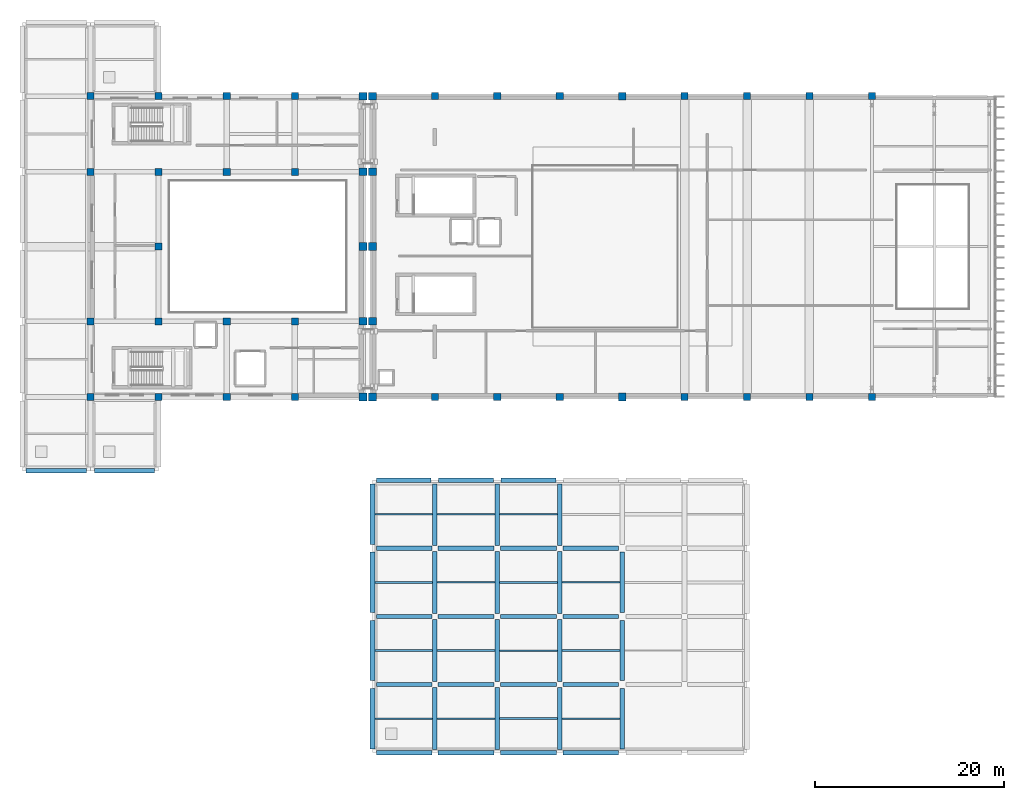
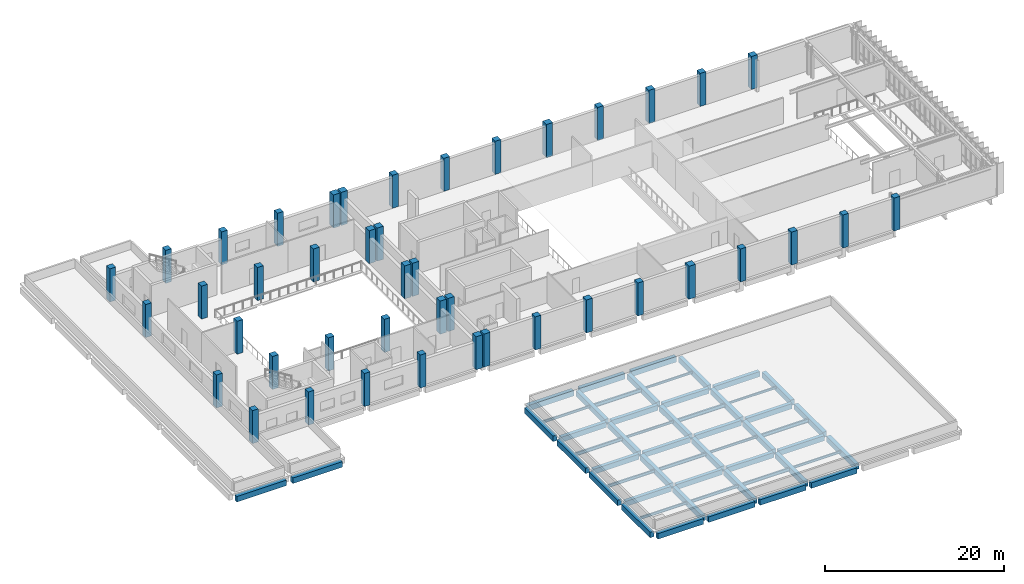
# One storey, part 1 of 23: 55 beams, 43 columns.
"""IFC4 building model written with IfcOpenShell, lengths in metres."""

from ifc_helpers import new_model, si_unit, direction, frame, origin, origin_2d, place, context, subcontext, project, spatial, rectangle, i_section, extrude, material, material_profile, profile_set, type_object, element, save


model = new_model("IFC4")

# Units and contexts
model_context = context("Model", 3, precision=1e-05, world=origin(), true_north=direction((0.0, 1.0)))
body_context = subcontext(model_context, "Body", "Model", "MODEL_VIEW")
ifc_project = project(units=[si_unit("LENGTHUNIT", "METRE"), si_unit("AREAUNIT", "SQUARE_METRE"), si_unit("VOLUMEUNIT", "CUBIC_METRE"), si_unit("PLANEANGLEUNIT", "RADIAN"), si_unit("MASSUNIT", "GRAM", prefix="KILO")], contexts=[model_context])

# Site, building, storey
site_placement = place(None, origin())
site = spatial("IfcSite", under=ifc_project, at=site_placement, CompositionType="ELEMENT")
building_placement = place(site_placement, origin())
building = spatial("IfcBuilding", under=site, at=building_placement, Name="Kelarvand Opera House", CompositionType="ELEMENT")
storey_placement = place(building_placement, frame((0.0, 0.0, 19.5)))
storey = spatial("IfcBuildingStorey", under=building, at=storey_placement, Name="L04", CompositionType="ELEMENT", Elevation=19.5)

# Columns
ifc_material_1 = material(Name="Concrete C40/50", Category="concrete")
ifc_material_profile_1 = material_profile(ifc_material_1, rectangle(XDim=0.75, YDim=0.75, at=origin_2d()), Name="RC 750x750", Category="concrete")
ifc_profile_set_1 = profile_set([ifc_material_profile_1], Name="Concrete C40/50")
column_type_1 = type_object("IfcColumnType", Name="Structural Column RC 750x750 (Int) COL-750", PredefinedType="COLUMN", material=ifc_profile_set_1)
for number, where, z_axis, x_axis, name in (
    (1, (95.60009765625, 46.60009765625, 0.0), (0.0, 0.0, 1.0), (1.0, 0.0, 0.0), "V1 Column COL-750 at L04"),
    (2, (95.60009765625, 78.39990234375, 0.0), (0.0, 0.0, 1.0), (1.0, 0.0, 0.0), "V1 Column COL-750 at L04"),
    (3, (102.199951171875, 46.60009765625, 0.0), (0.0, 0.0, 1.0), (1.0, 0.0, 0.0), "V1 Column COL-750 at L04"),
    (4, (102.199951171875, 78.39990234375, 0.0), (0.0, 0.0, 1.0), (1.0, 0.0, 0.0), "V1 Column COL-750 at L04"),
    (5, (108.800048828125, 46.60009765625, 0.0), (0.0, 0.0, 1.0), (1.0, 0.0, 0.0), "V1 Column COL-750 at L04"),
    (6, (108.800048828125, 78.39990234375, 0.0), (0.0, 0.0, 1.0), (1.0, 0.0, 0.0), "V1 Column COL-750 at L04"),
    (7, (122.0, 46.60009765625, 0.0), (0.0, 0.0, 1.0), (1.0, 0.0, 0.0), "V1 Column COL-750 at L04"),
    (8, (122.0, 78.39990234375, 0.0), (0.0, 0.0, 1.0), (1.0, 0.0, 0.0), "V1 Column COL-750 at L04"),
    (9, (128.60009765625, 46.60009765625, 0.0), (0.0, 0.0, 1.0), (1.0, 0.0, 0.0), "V1 Column COL-750 at L04"),
    (10, (128.60009765625, 78.39990234375, 0.0), (0.0, 0.0, 1.0), (1.0, 0.0, 0.0), "V1 Column COL-750 at L04"),
    (11, (135.199951171875, 46.60009765625, 0.0), (0.0, 0.0, 1.0), (1.0, 0.0, 0.0), "V1 Column COL-750 at L04"),
    (12, (135.199951171875, 78.39990234375, 0.0), (0.0, 0.0, 1.0), (1.0, 0.0, 0.0), "V1 Column COL-750 at L04"),
    (13, (141.800048828125, 46.60009765625, 0.0), (0.0, 0.0, 1.0), (1.0, 0.0, 0.0), "V1 Column COL-750 at L04"),
    (14, (141.800048828125, 78.39990234375, 0.0), (0.0, 0.0, 1.0), (1.0, 0.0, 0.0), "V1 Column COL-750 at L04"),
    (15, (59.199951171875, 46.60009765625, 0.0), (0.0, 0.0, 1.0), (1.0, 0.0, 0.0), "V2 Column COL-750 at L04"),
    (16, (59.199951171875, 54.60009765625, 0.0), (0.0, 0.0, 1.0), (1.0, 0.0, 0.0), "V2 Column COL-750 at L04"),
    (17, (59.199951171875, 70.39990234375, 0.0), (0.0, 0.0, 1.0), (1.0, 0.0, 0.0), "V2 Column COL-750 at L04"),
    (18, (59.199951171875, 78.39990234375, 0.0), (0.0, 0.0, 1.0), (1.0, 0.0, 0.0), "V2 Column COL-750 at L04"),
    (19, (66.39990234375, 46.60009765625, 0.0), (0.0, 0.0, 1.0), (1.0, 0.0, 0.0), "V2 Column COL-750 at L04"),
    (20, (66.39990234375, 54.60009765625, 0.0), (0.0, 0.0, 1.0), (1.0, 0.0, 0.0), "V2 Column COL-750 at L04"),
    (21, (66.39990234375, 62.5, 0.0), (0.0, 0.0, 1.0), (1.0, 0.0, 0.0), "V2 Column COL-750 at L04"),
    (22, (66.39990234375, 70.39990234375, 0.0), (0.0, 0.0, 1.0), (1.0, 0.0, 0.0), "V2 Column COL-750 at L04"),
    (23, (66.39990234375, 78.39990234375, 0.0), (0.0, 0.0, 1.0), (1.0, 0.0, 0.0), "V2 Column COL-750 at L04"),
    (24, (73.60009765625, 46.60009765625, 0.0), (0.0, 0.0, 1.0), (1.0, 0.0, 0.0), "V2 Column COL-750 at L04"),
    (25, (73.60009765625, 54.60009765625, 0.0), (0.0, 0.0, 1.0), (1.0, 0.0, 0.0), "V2 Column COL-750 at L04"),
    (26, (73.60009765625, 70.39990234375, 0.0), (0.0, 0.0, 1.0), (1.0, 0.0, 0.0), "V2 Column COL-750 at L04"),
    (27, (73.60009765625, 78.39990234375, 0.0), (0.0, 0.0, 1.0), (1.0, 0.0, 0.0), "V2 Column COL-750 at L04"),
    (28, (80.800048828125, 46.60009765625, 0.0), (0.0, 0.0, 1.0), (1.0, 0.0, 0.0), "V2 Column COL-750 at L04"),
    (29, (80.800048828125, 54.60009765625, 0.0), (0.0, 0.0, 1.0), (1.0, 0.0, 0.0), "V2 Column COL-750 at L04"),
    (30, (80.800048828125, 70.39990234375, 0.0), (0.0, 0.0, 1.0), (1.0, 0.0, 0.0), "V2 Column COL-750 at L04"),
    (31, (80.800048828125, 78.39990234375, 0.0), (0.0, 0.0, 1.0), (1.0, 0.0, 0.0), "V2 Column COL-750 at L04"),
):
    element("IfcColumn", number, at=place(storey_placement, frame(where, z_axis=z_axis, x_axis=x_axis)), inside=storey, type_object=column_type_1, Name=name, PredefinedType="COLUMN", context=body_context, shape_type="SweptSolid", body=[
        extrude(rectangle(XDim=0.75, YDim=0.75, at=origin_2d()), origin(), (0.0, 0.0, 1.0), 4.5),
    ])
ifc_material_profile_2 = material_profile(ifc_material_1, rectangle(XDim=0.820068359375, YDim=0.820068359375, at=origin_2d()), Name="RC 820x820", Category="concrete")
ifc_profile_set_2 = profile_set([ifc_material_profile_2], Name="Concrete C40/50")
column_type_2 = type_object("IfcColumnType", Name="Structural Column RC 820x820 (Int) COL-820", PredefinedType="COLUMN", material=ifc_profile_set_2)
for number, where, z_axis, x_axis, name in (
    (32, (89.0, 46.60009765625, 0.0), (0.0, 0.0, 1.0), (1.0, 0.0, 0.0), "V1 Column COL-820 at L04"),
    (33, (89.0, 54.60009765625, 0.0), (0.0, 0.0, 1.0), (1.0, 0.0, 0.0), "V1 Column COL-820 at L04"),
    (34, (89.0, 62.5, 0.0), (0.0, 0.0, 1.0), (1.0, 0.0, 0.0), "V1 Column COL-820 at L04"),
    (35, (89.0, 70.39990234375, 0.0), (0.0, 0.0, 1.0), (1.0, 0.0, 0.0), "V1 Column COL-820 at L04"),
    (36, (89.0, 78.39990234375, 0.0), (0.0, 0.0, 1.0), (1.0, 0.0, 0.0), "V1 Column COL-820 at L04"),
    (37, (115.39990234375, 46.60009765625, 0.0), (0.0, 0.0, 1.0), (1.0, 0.0, 0.0), "V1 Column COL-820 at L04"),
    (38, (115.39990234375, 78.39990234375, 0.0), (0.0, 0.0, 1.0), (1.0, 0.0, 0.0), "V1 Column COL-820 at L04"),
    (39, (88.0, 46.60009765625, 0.0), (0.0, 0.0, 1.0), (1.0, 0.0, 0.0), "V2 Column COL-820 at L04"),
    (40, (88.0, 54.60009765625, 0.0), (0.0, 0.0, 1.0), (1.0, 0.0, 0.0), "V2 Column COL-820 at L04"),
    (41, (88.0, 62.5, 0.0), (0.0, 0.0, 1.0), (1.0, 0.0, 0.0), "V2 Column COL-820 at L04"),
    (42, (88.0, 70.39990234375, 0.0), (0.0, 0.0, 1.0), (1.0, 0.0, 0.0), "V2 Column COL-820 at L04"),
    (43, (88.0, 78.39990234375, 0.0), (0.0, 0.0, 1.0), (1.0, 0.0, 0.0), "V2 Column COL-820 at L04"),
):
    element("IfcColumn", number, at=place(storey_placement, frame(where, z_axis=z_axis, x_axis=x_axis)), inside=storey, type_object=column_type_2, Name=name, PredefinedType="COLUMN", context=body_context, shape_type="SweptSolid", body=[
        extrude(rectangle(XDim=0.820068359375, YDim=0.820068359375, at=origin_2d()), origin(), (0.0, 0.0, 1.0), 4.5),
    ])

# Beams
ifc_material_profile_3 = material_profile(ifc_material_1, rectangle(XDim=0.449951171875, YDim=0.699951171875, at=origin_2d()), Name="RC 450x700", Category="concrete")
ifc_profile_set_3 = profile_set([ifc_material_profile_3], Name="Concrete C40/50")
beam_type_1 = type_object("IfcBeamType", Name="Structural Beam RC 450x700 BM-RC450x700", PredefinedType="BEAM", material=ifc_profile_set_3)
beam_1_placement = place(storey_placement, frame((89.409912109375, 16.199951171875, -0.570068359375), z_axis=(1.0, 0.0, 0.0), x_axis=(0.0, 1.0, 0.0)))
element("IfcBeam", 44, at=beam_1_placement, inside=storey, type_object=beam_type_1, Name="V6 L04 Beam BM-RC450x700", PredefinedType="BEAM", context=body_context, shape_type="SweptSolid", body=[
    extrude(rectangle(XDim=0.449951171875, YDim=0.699951171875, at=origin_2d()), origin(), (0.0, 0.0, 1.0), 5.864990234375),
])
beam_2_placement = place(storey_placement, frame((95.925048828125, 16.199951171875, -0.570068359375), z_axis=(1.0, 0.0, 0.0), x_axis=(0.0, 1.0, 0.0)))
element("IfcBeam", 45, at=beam_2_placement, inside=storey, type_object=beam_type_1, Name="V6 L04 Beam BM-RC450x700", PredefinedType="BEAM", context=body_context, shape_type="SweptSolid", body=[
    extrude(rectangle(XDim=0.449951171875, YDim=0.699951171875, at=origin_2d()), origin(), (0.0, 0.0, 1.0), 5.949951171875),
])
beam_3_placement = place(storey_placement, frame((102.52490234375, 16.199951171875, -0.570068359375), z_axis=(1.0, 0.0, 0.0), x_axis=(0.0, 1.0, 0.0)))
element("IfcBeam", 46, at=beam_3_placement, inside=storey, type_object=beam_type_1, Name="V6 L04 Beam BM-RC450x700", PredefinedType="BEAM", context=body_context, shape_type="SweptSolid", body=[
    extrude(rectangle(XDim=0.449951171875, YDim=0.699951171875, at=origin_2d()), origin(), (0.0, 0.0, 1.0), 5.9501953125),
])
for number, where, z_axis, x_axis, name in (
    (47, (109.125, 16.199951171875, -0.570068359375), (1.0, 0.0, 0.0), (0.0, 1.0, 0.0), "V6 L04 Beam BM-RC450x700"),
    (48, (89.409912109375, 23.39990234375, -0.570068359375), (1.0, 0.0, 0.0), (0.0, 1.0, 0.0), "V6 L04 Beam BM-RC450x700"),
):
    element("IfcBeam", number, at=place(storey_placement, frame(where, z_axis=z_axis, x_axis=x_axis)), inside=storey, type_object=beam_type_1, Name=name, PredefinedType="BEAM", context=body_context, shape_type="SweptSolid", body=[
        extrude(rectangle(XDim=0.449951171875, YDim=0.699951171875, at=origin_2d()), origin(), (0.0, 0.0, 1.0), 5.864990234375),
    ])
beam_4_placement = place(storey_placement, frame((95.925048828125, 23.39990234375, -0.570068359375), z_axis=(1.0, 0.0, 0.0), x_axis=(0.0, 1.0, 0.0)))
element("IfcBeam", 49, at=beam_4_placement, inside=storey, type_object=beam_type_1, Name="V6 L04 Beam BM-RC450x700", PredefinedType="BEAM", context=body_context, shape_type="SweptSolid", body=[
    extrude(rectangle(XDim=0.449951171875, YDim=0.699951171875, at=origin_2d()), origin(), (0.0, 0.0, 1.0), 5.949951171875),
])
beam_5_placement = place(storey_placement, frame((102.52490234375, 23.39990234375, -0.570068359375), z_axis=(1.0, 0.0, 0.0), x_axis=(0.0, 1.0, 0.0)))
element("IfcBeam", 50, at=beam_5_placement, inside=storey, type_object=beam_type_1, Name="V6 L04 Beam BM-RC450x700", PredefinedType="BEAM", context=body_context, shape_type="SweptSolid", body=[
    extrude(rectangle(XDim=0.449951171875, YDim=0.699951171875, at=origin_2d()), origin(), (0.0, 0.0, 1.0), 5.9501953125),
])
for number, where, z_axis, x_axis, name in (
    (51, (109.125, 23.39990234375, -0.570068359375), (1.0, 0.0, 0.0), (0.0, 1.0, 0.0), "V6 L04 Beam BM-RC450x700"),
    (52, (89.409912109375, 30.60009765625, -0.570068359375), (1.0, 0.0, 0.0), (0.0, 1.0, 0.0), "V6 L04 Beam BM-RC450x700"),
):
    element("IfcBeam", number, at=place(storey_placement, frame(where, z_axis=z_axis, x_axis=x_axis)), inside=storey, type_object=beam_type_1, Name=name, PredefinedType="BEAM", context=body_context, shape_type="SweptSolid", body=[
        extrude(rectangle(XDim=0.449951171875, YDim=0.699951171875, at=origin_2d()), origin(), (0.0, 0.0, 1.0), 5.864990234375),
    ])
beam_6_placement = place(storey_placement, frame((95.925048828125, 30.60009765625, -0.570068359375), z_axis=(1.0, 0.0, 0.0), x_axis=(0.0, 1.0, 0.0)))
element("IfcBeam", 53, at=beam_6_placement, inside=storey, type_object=beam_type_1, Name="V6 L04 Beam BM-RC450x700", PredefinedType="BEAM", context=body_context, shape_type="SweptSolid", body=[
    extrude(rectangle(XDim=0.449951171875, YDim=0.699951171875, at=origin_2d()), origin(), (0.0, 0.0, 1.0), 5.949951171875),
])
beam_7_placement = place(storey_placement, frame((102.52490234375, 30.60009765625, -0.570068359375), z_axis=(1.0, 0.0, 0.0), x_axis=(0.0, 1.0, 0.0)))
element("IfcBeam", 54, at=beam_7_placement, inside=storey, type_object=beam_type_1, Name="V6 L04 Beam BM-RC450x700", PredefinedType="BEAM", context=body_context, shape_type="SweptSolid", body=[
    extrude(rectangle(XDim=0.449951171875, YDim=0.699951171875, at=origin_2d()), origin(), (0.0, 0.0, 1.0), 5.9501953125),
])
beam_8_placement = place(storey_placement, frame((109.125, 30.60009765625, -0.570068359375), z_axis=(1.0, 0.0, 0.0), x_axis=(0.0, 1.0, 0.0)))
element("IfcBeam", 55, at=beam_8_placement, inside=storey, type_object=beam_type_1, Name="V6 L04 Beam BM-RC450x700", PredefinedType="BEAM", context=body_context, shape_type="SweptSolid", body=[
    extrude(rectangle(XDim=0.449951171875, YDim=0.699951171875, at=origin_2d()), origin(), (0.0, 0.0, 1.0), 5.864990234375),
])
ifc_material_profile_4 = material_profile(ifc_material_1, rectangle(XDim=0.5, YDim=0.75, at=origin_2d()), Name="RC 500x750", Category="concrete")
ifc_profile_set_4 = profile_set([ifc_material_profile_4], Name="Concrete C40/50")
beam_type_2 = type_object("IfcBeamType", Name="Structural Beam RC 500x750 BM-RC500x750", PredefinedType="BEAM", material=ifc_profile_set_4)
for number, where, z_axis, x_axis, name in (
    (56, (95.60009765625, 9.324951171875, -0.594970703125), (0.0, 1.0, 0.0), (-1.0, 0.0, 0.0), "V6 L04 Beam BM-RC500x750"),
    (57, (95.60009765625, 16.52490234375, -0.594970703125), (0.0, 1.0, 0.0), (-1.0, 0.0, 0.0), "V6 L04 Beam BM-RC500x750"),
):
    element("IfcBeam", number, at=place(storey_placement, frame(where, z_axis=z_axis, x_axis=x_axis)), inside=storey, type_object=beam_type_2, Name=name, PredefinedType="BEAM", context=body_context, shape_type="SweptSolid", body=[
        extrude(rectangle(XDim=0.5, YDim=0.75, at=origin_2d()), origin(), (0.0, 0.0, 1.0), 6.550048828125),
    ])
beam_9_placement = place(storey_placement, frame((95.60009765625, 23.72509765625, -0.594970703125), z_axis=(0.0, 1.0, 0.0), x_axis=(-1.0, 0.0, 0.0)))
element("IfcBeam", 58, at=beam_9_placement, inside=storey, type_object=beam_type_2, Name="V6 L04 Beam BM-RC500x750", PredefinedType="BEAM", context=body_context, shape_type="SweptSolid", body=[
    extrude(rectangle(XDim=0.5, YDim=0.75, at=origin_2d()), origin(), (0.0, 0.0, 1.0), 6.5498046875),
])
beam_10_placement = place(storey_placement, frame((95.60009765625, 30.925048828125, -0.594970703125), z_axis=(0.0, 1.0, 0.0), x_axis=(-1.0, 0.0, 0.0)))
element("IfcBeam", 59, at=beam_10_placement, inside=storey, type_object=beam_type_2, Name="V6 L04 Beam BM-RC500x750", PredefinedType="BEAM", context=body_context, shape_type="SweptSolid", body=[
    extrude(rectangle(XDim=0.5, YDim=0.75, at=origin_2d()), origin(), (0.0, 0.0, 1.0), 6.46484375),
])
for number, where, z_axis, x_axis, name in (
    (60, (102.199951171875, 9.324951171875, -0.594970703125), (0.0, 1.0, 0.0), (-1.0, 0.0, 0.0), "V6 L04 Beam BM-RC500x750"),
    (61, (102.199951171875, 16.52490234375, -0.594970703125), (0.0, 1.0, 0.0), (-1.0, 0.0, 0.0), "V6 L04 Beam BM-RC500x750"),
):
    element("IfcBeam", number, at=place(storey_placement, frame(where, z_axis=z_axis, x_axis=x_axis)), inside=storey, type_object=beam_type_2, Name=name, PredefinedType="BEAM", context=body_context, shape_type="SweptSolid", body=[
        extrude(rectangle(XDim=0.5, YDim=0.75, at=origin_2d()), origin(), (0.0, 0.0, 1.0), 6.550048828125),
    ])
beam_11_placement = place(storey_placement, frame((102.199951171875, 23.72509765625, -0.594970703125), z_axis=(0.0, 1.0, 0.0), x_axis=(-1.0, 0.0, 0.0)))
element("IfcBeam", 62, at=beam_11_placement, inside=storey, type_object=beam_type_2, Name="V6 L04 Beam BM-RC500x750", PredefinedType="BEAM", context=body_context, shape_type="SweptSolid", body=[
    extrude(rectangle(XDim=0.5, YDim=0.75, at=origin_2d()), origin(), (0.0, 0.0, 1.0), 6.5498046875),
])
beam_12_placement = place(storey_placement, frame((102.199951171875, 30.925048828125, -0.594970703125), z_axis=(0.0, 1.0, 0.0), x_axis=(-1.0, 0.0, 0.0)))
element("IfcBeam", 63, at=beam_12_placement, inside=storey, type_object=beam_type_2, Name="V6 L04 Beam BM-RC500x750", PredefinedType="BEAM", context=body_context, shape_type="SweptSolid", body=[
    extrude(rectangle(XDim=0.5, YDim=0.75, at=origin_2d()), origin(), (0.0, 0.0, 1.0), 6.46484375),
])
for number, where, z_axis, x_axis, name in (
    (64, (108.800048828125, 9.324951171875, -0.594970703125), (0.0, 1.0, 0.0), (-1.0, 0.0, 0.0), "V6 L04 Beam BM-RC500x750"),
    (65, (108.800048828125, 16.52490234375, -0.594970703125), (0.0, 1.0, 0.0), (-1.0, 0.0, 0.0), "V6 L04 Beam BM-RC500x750"),
):
    element("IfcBeam", number, at=place(storey_placement, frame(where, z_axis=z_axis, x_axis=x_axis)), inside=storey, type_object=beam_type_2, Name=name, PredefinedType="BEAM", context=body_context, shape_type="SweptSolid", body=[
        extrude(rectangle(XDim=0.5, YDim=0.75, at=origin_2d()), origin(), (0.0, 0.0, 1.0), 6.550048828125),
    ])
beam_13_placement = place(storey_placement, frame((108.800048828125, 23.72509765625, -0.594970703125), z_axis=(0.0, 1.0, 0.0), x_axis=(-1.0, 0.0, 0.0)))
element("IfcBeam", 66, at=beam_13_placement, inside=storey, type_object=beam_type_2, Name="V6 L04 Beam BM-RC500x750", PredefinedType="BEAM", context=body_context, shape_type="SweptSolid", body=[
    extrude(rectangle(XDim=0.5, YDim=0.75, at=origin_2d()), origin(), (0.0, 0.0, 1.0), 6.5498046875),
])
beam_14_placement = place(storey_placement, frame((108.800048828125, 30.925048828125, -0.594970703125), z_axis=(0.0, 1.0, 0.0), x_axis=(-1.0, 0.0, 0.0)))
element("IfcBeam", 67, at=beam_14_placement, inside=storey, type_object=beam_type_2, Name="V6 L04 Beam BM-RC500x750", PredefinedType="BEAM", context=body_context, shape_type="SweptSolid", body=[
    extrude(rectangle(XDim=0.5, YDim=0.75, at=origin_2d()), origin(), (0.0, 0.0, 1.0), 6.46484375),
])
beam_15_placement = place(storey_placement, frame((115.39990234375, 9.409912109375, -0.594970703125), z_axis=(0.0, 1.0, 0.0), x_axis=(-1.0, 0.0, 0.0)))
element("IfcBeam", 68, at=beam_15_placement, inside=storey, type_object=beam_type_2, Name="V6 L04 Beam BM-RC500x750", PredefinedType="BEAM", context=body_context, shape_type="SweptSolid", body=[
    extrude(rectangle(XDim=0.5, YDim=0.75, at=origin_2d()), origin(), (0.0, 0.0, 1.0), 6.380126953125),
])
for number, where, z_axis, x_axis, name in (
    (69, (115.39990234375, 16.610107421875, -0.594970703125), (0.0, 1.0, 0.0), (-1.0, 0.0, 0.0), "V6 L04 Beam BM-RC500x750"),
    (70, (115.39990234375, 23.81005859375, -0.594970703125), (0.0, 1.0, 0.0), (-1.0, 0.0, 0.0), "V6 L04 Beam BM-RC500x750"),
):
    element("IfcBeam", number, at=place(storey_placement, frame(where, z_axis=z_axis, x_axis=x_axis)), inside=storey, type_object=beam_type_2, Name=name, PredefinedType="BEAM", context=body_context, shape_type="SweptSolid", body=[
        extrude(rectangle(XDim=0.5, YDim=0.75, at=origin_2d()), origin(), (0.0, 0.0, 1.0), 6.3798828125),
    ])
ifc_material_2 = material(Name="Steel S355", Category="steel")
ifc_material_profile_5 = material_profile(ifc_material_2, i_section(OverallWidth=0.14990234375, OverallDepth=0.300048828125, WebThickness=0.007080078125, FlangeThickness=0.0107421875, at=origin_2d()), Name="IPE 300", Category="steel")
ifc_profile_set_5 = profile_set([ifc_material_profile_5], Name="Steel S355")
beam_type_3 = type_object("IfcBeamType", Name="Structural Joist IPE 300 JS-IPE300", PredefinedType="JOIST", material=ifc_profile_set_5)
beam_16_placement = place(storey_placement, frame((102.449951171875, 34.199951171875, -0.3701171875), z_axis=(1.0, 0.0, 0.0), x_axis=(0.0, 1.0, 0.0)))
element("IfcBeam", 71, at=beam_16_placement, inside=storey, type_object=beam_type_3, Name="V6 L04 Beam JS-IPE300", PredefinedType="JOIST", context=body_context, shape_type="SweptSolid", body=[
    extrude(i_section(OverallWidth=0.14990234375, OverallDepth=0.300048828125, WebThickness=0.007080078125, FlangeThickness=0.0107421875, at=origin_2d()), origin(), (0.0, 0.0, 1.0), 6.10009765625),
])
beam_17_placement = place(storey_placement, frame((109.050048828125, 27.0, -0.3701171875), z_axis=(1.0, 0.0, 0.0), x_axis=(0.0, 1.0, 0.0)))
element("IfcBeam", 72, at=beam_17_placement, inside=storey, type_object=beam_type_3, Name="V6 L04 Beam JS-IPE300", PredefinedType="JOIST", context=body_context, shape_type="SweptSolid", body=[
    extrude(i_section(OverallWidth=0.14990234375, OverallDepth=0.300048828125, WebThickness=0.007080078125, FlangeThickness=0.0107421875, at=origin_2d()), origin(), (0.0, 0.0, 1.0), 6.099853515625),
])
ifc_material_profile_6 = material_profile(ifc_material_2, i_section(OverallWidth=0.159912109375, OverallDepth=0.330078125, WebThickness=0.007568359375, FlangeThickness=0.011474609375, at=origin_2d()), Name="IPE 330", Category="steel")
ifc_profile_set_6 = profile_set([ifc_material_profile_6], Name="Steel S355")
beam_type_4 = type_object("IfcBeamType", Name="Structural Joist IPE 330 JS-IPE330", PredefinedType="JOIST", material=ifc_profile_set_6)
beam_18_placement = place(storey_placement, frame((89.25, 34.199951171875, -0.385009765625), z_axis=(1.0, 0.0, 0.0), x_axis=(0.0, 1.0, 0.0)))
element("IfcBeam", 73, at=beam_18_placement, inside=storey, type_object=beam_type_4, Name="V6 L04 Beam JS-IPE330", PredefinedType="JOIST", context=body_context, shape_type="SweptSolid", body=[
    extrude(i_section(OverallWidth=0.159912109375, OverallDepth=0.330078125, WebThickness=0.007568359375, FlangeThickness=0.011474609375, at=origin_2d()), origin(), (0.0, 0.0, 1.0), 6.10009765625),
])
beam_19_placement = place(storey_placement, frame((95.85009765625, 27.0, -0.385009765625), z_axis=(1.0, 0.0, 0.0), x_axis=(0.0, 1.0, 0.0)))
element("IfcBeam", 74, at=beam_19_placement, inside=storey, type_object=beam_type_4, Name="V6 L04 Beam JS-IPE330", PredefinedType="JOIST", context=body_context, shape_type="SweptSolid", body=[
    extrude(i_section(OverallWidth=0.159912109375, OverallDepth=0.330078125, WebThickness=0.007568359375, FlangeThickness=0.011474609375, at=origin_2d()), origin(), (0.0, 0.0, 1.0), 6.099853515625),
])
beam_20_placement = place(storey_placement, frame((102.449951171875, 19.800048828125, -0.385009765625), z_axis=(1.0, 0.0, 0.0), x_axis=(0.0, 1.0, 0.0)))
element("IfcBeam", 75, at=beam_20_placement, inside=storey, type_object=beam_type_4, Name="V6 L04 Beam JS-IPE330", PredefinedType="JOIST", context=body_context, shape_type="SweptSolid", body=[
    extrude(i_section(OverallWidth=0.159912109375, OverallDepth=0.330078125, WebThickness=0.007568359375, FlangeThickness=0.011474609375, at=origin_2d()), origin(), (0.0, 0.0, 1.0), 6.10009765625),
])
beam_21_placement = place(storey_placement, frame((109.050048828125, 12.60009765625, -0.385009765625), z_axis=(1.0, 0.0, 0.0), x_axis=(0.0, 1.0, 0.0)))
element("IfcBeam", 76, at=beam_21_placement, inside=storey, type_object=beam_type_4, Name="V6 L04 Beam JS-IPE330", PredefinedType="JOIST", context=body_context, shape_type="SweptSolid", body=[
    extrude(i_section(OverallWidth=0.159912109375, OverallDepth=0.330078125, WebThickness=0.007568359375, FlangeThickness=0.011474609375, at=origin_2d()), origin(), (0.0, 0.0, 1.0), 6.099853515625),
])
ifc_material_profile_7 = material_profile(ifc_material_2, i_section(OverallWidth=0.169921875, OverallDepth=0.360107421875, WebThickness=0.008056640625, FlangeThickness=0.0126953125, at=origin_2d()), Name="IPE 360", Category="steel")
ifc_profile_set_7 = profile_set([ifc_material_profile_7], Name="Steel S355")
beam_type_5 = type_object("IfcBeamType", Name="Structural Joist IPE 360 JS-IPE360", PredefinedType="JOIST", material=ifc_profile_set_7)
beam_22_placement = place(storey_placement, frame((89.25, 12.60009765625, -0.39990234375), z_axis=(1.0, 0.0, 0.0), x_axis=(0.0, 1.0, 0.0)))
element("IfcBeam", 77, at=beam_22_placement, inside=storey, type_object=beam_type_5, Name="V6 L04 Beam JS-IPE360", PredefinedType="JOIST", context=body_context, shape_type="SweptSolid", body=[
    extrude(i_section(OverallWidth=0.169921875, OverallDepth=0.360107421875, WebThickness=0.008056640625, FlangeThickness=0.0126953125, at=origin_2d()), origin(), (0.0, 0.0, 1.0), 6.10009765625),
])
ifc_material_profile_8 = material_profile(ifc_material_2, i_section(OverallWidth=0.179931640625, OverallDepth=0.39990234375, WebThickness=0.008544921875, FlangeThickness=0.013427734375, at=origin_2d()), Name="IPE 400", Category="steel")
ifc_profile_set_8 = profile_set([ifc_material_profile_8], Name="Steel S355")
beam_type_6 = type_object("IfcBeamType", Name="Structural Joist IPE 400 JS-IPE400", PredefinedType="JOIST", material=ifc_profile_set_8)
beam_23_placement = place(storey_placement, frame((89.25, 19.800048828125, -0.419921875), z_axis=(1.0, 0.0, 0.0), x_axis=(0.0, 1.0, 0.0)))
element("IfcBeam", 78, at=beam_23_placement, inside=storey, type_object=beam_type_6, Name="V6 L04 Beam JS-IPE400", PredefinedType="JOIST", context=body_context, shape_type="SweptSolid", body=[
    extrude(i_section(OverallWidth=0.179931640625, OverallDepth=0.39990234375, WebThickness=0.008544921875, FlangeThickness=0.013427734375, at=origin_2d()), origin(), (0.0, 0.0, 1.0), 6.10009765625),
])
beam_24_placement = place(storey_placement, frame((95.85009765625, 12.60009765625, -0.419921875), z_axis=(1.0, 0.0, 0.0), x_axis=(0.0, 1.0, 0.0)))
element("IfcBeam", 79, at=beam_24_placement, inside=storey, type_object=beam_type_6, Name="V6 L04 Beam JS-IPE400", PredefinedType="JOIST", context=body_context, shape_type="SweptSolid", body=[
    extrude(i_section(OverallWidth=0.179931640625, OverallDepth=0.39990234375, WebThickness=0.008544921875, FlangeThickness=0.013427734375, at=origin_2d()), origin(), (0.0, 0.0, 1.0), 6.099853515625),
])
ifc_material_profile_9 = material_profile(ifc_material_2, i_section(OverallWidth=0.18994140625, OverallDepth=0.449951171875, WebThickness=0.009521484375, FlangeThickness=0.0146484375, at=origin_2d()), Name="IPE 450", Category="steel")
ifc_profile_set_9 = profile_set([ifc_material_profile_9], Name="Steel S355")
beam_type_7 = type_object("IfcBeamType", Name="Structural Joist IPE 450 JS-IPE450", PredefinedType="JOIST", material=ifc_profile_set_9)
beam_25_placement = place(storey_placement, frame((89.25, 27.0, -0.445068359375), z_axis=(1.0, 0.0, 0.0), x_axis=(0.0, 1.0, 0.0)))
element("IfcBeam", 80, at=beam_25_placement, inside=storey, type_object=beam_type_7, Name="V6 L04 Beam JS-IPE450", PredefinedType="JOIST", context=body_context, shape_type="SweptSolid", body=[
    extrude(i_section(OverallWidth=0.18994140625, OverallDepth=0.449951171875, WebThickness=0.009521484375, FlangeThickness=0.0146484375, at=origin_2d()), origin(), (0.0, 0.0, 1.0), 6.10009765625),
])
beam_26_placement = place(storey_placement, frame((95.85009765625, 19.800048828125, -0.445068359375), z_axis=(1.0, 0.0, 0.0), x_axis=(0.0, 1.0, 0.0)))
element("IfcBeam", 81, at=beam_26_placement, inside=storey, type_object=beam_type_7, Name="V6 L04 Beam JS-IPE450", PredefinedType="JOIST", context=body_context, shape_type="SweptSolid", body=[
    extrude(i_section(OverallWidth=0.18994140625, OverallDepth=0.449951171875, WebThickness=0.009521484375, FlangeThickness=0.0146484375, at=origin_2d()), origin(), (0.0, 0.0, 1.0), 6.099853515625),
])
beam_27_placement = place(storey_placement, frame((102.449951171875, 12.60009765625, -0.445068359375), z_axis=(1.0, 0.0, 0.0), x_axis=(0.0, 1.0, 0.0)))
element("IfcBeam", 82, at=beam_27_placement, inside=storey, type_object=beam_type_7, Name="V6 L04 Beam JS-IPE450", PredefinedType="JOIST", context=body_context, shape_type="SweptSolid", body=[
    extrude(i_section(OverallWidth=0.18994140625, OverallDepth=0.449951171875, WebThickness=0.009521484375, FlangeThickness=0.0146484375, at=origin_2d()), origin(), (0.0, 0.0, 1.0), 6.10009765625),
])
ifc_material_profile_10 = material_profile(ifc_material_2, i_section(OverallWidth=0.199951171875, OverallDepth=0.5, WebThickness=0.01025390625, FlangeThickness=0.01611328125, at=origin_2d()), Name="IPE 500", Category="steel")
ifc_profile_set_10 = profile_set([ifc_material_profile_10], Name="Steel S355")
beam_type_8 = type_object("IfcBeamType", Name="Structural Joist IPE 500 JS-IPE500", PredefinedType="JOIST", material=ifc_profile_set_10)
beam_28_placement = place(storey_placement, frame((95.85009765625, 34.199951171875, -0.469970703125), z_axis=(1.0, 0.0, 0.0), x_axis=(0.0, 1.0, 0.0)))
element("IfcBeam", 83, at=beam_28_placement, inside=storey, type_object=beam_type_8, Name="V6 L04 Beam JS-IPE500", PredefinedType="JOIST", context=body_context, shape_type="SweptSolid", body=[
    extrude(i_section(OverallWidth=0.199951171875, OverallDepth=0.5, WebThickness=0.01025390625, FlangeThickness=0.01611328125, at=origin_2d()), origin(), (0.0, 0.0, 1.0), 6.099853515625),
])
beam_29_placement = place(storey_placement, frame((102.449951171875, 27.0, -0.469970703125), z_axis=(1.0, 0.0, 0.0), x_axis=(0.0, 1.0, 0.0)))
element("IfcBeam", 84, at=beam_29_placement, inside=storey, type_object=beam_type_8, Name="V6 L04 Beam JS-IPE500", PredefinedType="JOIST", context=body_context, shape_type="SweptSolid", body=[
    extrude(i_section(OverallWidth=0.199951171875, OverallDepth=0.5, WebThickness=0.01025390625, FlangeThickness=0.01611328125, at=origin_2d()), origin(), (0.0, 0.0, 1.0), 6.10009765625),
])
beam_30_placement = place(storey_placement, frame((109.050048828125, 19.800048828125, -0.469970703125), z_axis=(1.0, 0.0, 0.0), x_axis=(0.0, 1.0, 0.0)))
element("IfcBeam", 85, at=beam_30_placement, inside=storey, type_object=beam_type_8, Name="V6 L04 Beam JS-IPE500", PredefinedType="JOIST", context=body_context, shape_type="SweptSolid", body=[
    extrude(i_section(OverallWidth=0.199951171875, OverallDepth=0.5, WebThickness=0.01025390625, FlangeThickness=0.01611328125, at=origin_2d()), origin(), (0.0, 0.0, 1.0), 6.099853515625),
])
ifc_material_profile_11 = material_profile(ifc_material_1, rectangle(XDim=0.5, YDim=0.75, at=origin_2d()), Name="RC 500x750", Category="concrete")
ifc_profile_set_11 = profile_set([ifc_material_profile_11], Name="Concrete C40/50")
beam_type_9 = type_object("IfcBeamType", Name="Structural Spandrel RC 500x750 SP-RC500x750E", PredefinedType="SPANDREL", material=ifc_profile_set_11)
beam_31_placement = place(storey_placement, frame((52.409912109375, 38.800048828125, -0.655029296875), z_axis=(1.0, 0.0, 0.0), x_axis=(0.0, 1.0, 0.0)))
element("IfcBeam", 86, at=beam_31_placement, inside=storey, type_object=beam_type_9, Name="V2 L04 Beam SP-RC500x750E", PredefinedType="SPANDREL", context=body_context, shape_type="SweptSolid", body=[
    extrude(rectangle(XDim=0.5, YDim=0.75, at=origin_2d()), origin(), (0.0, 0.0, 1.0), 6.380126953125),
])
beam_32_placement = place(storey_placement, frame((59.610107421875, 38.800048828125, -0.655029296875), z_axis=(1.0, 0.0, 0.0), x_axis=(0.0, 1.0, 0.0)))
element("IfcBeam", 87, at=beam_32_placement, inside=storey, type_object=beam_type_9, Name="V2 L04 Beam SP-RC500x750E", PredefinedType="SPANDREL", context=body_context, shape_type="SweptSolid", body=[
    extrude(rectangle(XDim=0.5, YDim=0.75, at=origin_2d()), origin(), (0.0, 0.0, 1.0), 6.3798828125),
])
beam_33_placement = place(storey_placement, frame((89.409912109375, 9.0, -0.594970703125), z_axis=(1.0, 0.0, 0.0), x_axis=(0.0, 1.0, 0.0)))
element("IfcBeam", 88, at=beam_33_placement, inside=storey, type_object=beam_type_9, Name="V6 L04 Beam SP-RC500x750E", PredefinedType="SPANDREL", context=body_context, shape_type="SweptSolid", body=[
    extrude(rectangle(XDim=0.5, YDim=0.75, at=origin_2d()), origin(), (0.0, 0.0, 1.0), 5.864990234375),
])
beam_34_placement = place(storey_placement, frame((95.925048828125, 9.0, -0.594970703125), z_axis=(1.0, 0.0, 0.0), x_axis=(0.0, 1.0, 0.0)))
element("IfcBeam", 89, at=beam_34_placement, inside=storey, type_object=beam_type_9, Name="V6 L04 Beam SP-RC500x750E", PredefinedType="SPANDREL", context=body_context, shape_type="SweptSolid", body=[
    extrude(rectangle(XDim=0.5, YDim=0.75, at=origin_2d()), origin(), (0.0, 0.0, 1.0), 5.949951171875),
])
beam_35_placement = place(storey_placement, frame((102.52490234375, 9.0, -0.594970703125), z_axis=(1.0, 0.0, 0.0), x_axis=(0.0, 1.0, 0.0)))
element("IfcBeam", 90, at=beam_35_placement, inside=storey, type_object=beam_type_9, Name="V6 L04 Beam SP-RC500x750E", PredefinedType="SPANDREL", context=body_context, shape_type="SweptSolid", body=[
    extrude(rectangle(XDim=0.5, YDim=0.75, at=origin_2d()), origin(), (0.0, 0.0, 1.0), 5.9501953125),
])
beam_36_placement = place(storey_placement, frame((109.125, 9.0, -0.594970703125), z_axis=(1.0, 0.0, 0.0), x_axis=(0.0, 1.0, 0.0)))
element("IfcBeam", 91, at=beam_36_placement, inside=storey, type_object=beam_type_9, Name="V6 L04 Beam SP-RC500x750E", PredefinedType="SPANDREL", context=body_context, shape_type="SweptSolid", body=[
    extrude(rectangle(XDim=0.5, YDim=0.75, at=origin_2d()), origin(), (0.0, 0.0, 1.0), 5.864990234375),
])
for number, where, z_axis, x_axis, name in (
    (92, (89.409912109375, 37.800048828125, -0.594970703125), (1.0, 0.0, 0.0), (0.0, 1.0, 0.0), "V6 L04 Beam SP-RC500x750E"),
    (93, (96.010009765625, 37.800048828125, -0.594970703125), (1.0, 0.0, 0.0), (0.0, 1.0, 0.0), "V6 L04 Beam SP-RC500x750E"),
):
    element("IfcBeam", number, at=place(storey_placement, frame(where, z_axis=z_axis, x_axis=x_axis)), inside=storey, type_object=beam_type_9, Name=name, PredefinedType="SPANDREL", context=body_context, shape_type="SweptSolid", body=[
        extrude(rectangle(XDim=0.5, YDim=0.75, at=origin_2d()), origin(), (0.0, 0.0, 1.0), 5.780029296875),
    ])
beam_37_placement = place(storey_placement, frame((102.610107421875, 37.800048828125, -0.594970703125), z_axis=(1.0, 0.0, 0.0), x_axis=(0.0, 1.0, 0.0)))
element("IfcBeam", 94, at=beam_37_placement, inside=storey, type_object=beam_type_9, Name="V6 L04 Beam SP-RC500x750E", PredefinedType="SPANDREL", context=body_context, shape_type="SweptSolid", body=[
    extrude(rectangle(XDim=0.5, YDim=0.75, at=origin_2d()), origin(), (0.0, 0.0, 1.0), 5.77978515625),
])
beam_38_placement = place(storey_placement, frame((89.0, 9.409912109375, -0.594970703125), z_axis=(0.0, 1.0, 0.0), x_axis=(-1.0, 0.0, 0.0)))
element("IfcBeam", 95, at=beam_38_placement, inside=storey, type_object=beam_type_9, Name="V6 L04 Beam SP-RC500x750E", PredefinedType="SPANDREL", context=body_context, shape_type="SweptSolid", body=[
    extrude(rectangle(XDim=0.5, YDim=0.75, at=origin_2d()), origin(), (0.0, 0.0, 1.0), 6.380126953125),
])
for number, where, z_axis, x_axis, name in (
    (96, (89.0, 16.610107421875, -0.594970703125), (0.0, 1.0, 0.0), (-1.0, 0.0, 0.0), "V6 L04 Beam SP-RC500x750E"),
    (97, (89.0, 23.81005859375, -0.594970703125), (0.0, 1.0, 0.0), (-1.0, 0.0, 0.0), "V6 L04 Beam SP-RC500x750E"),
    (98, (89.0, 31.010009765625, -0.594970703125), (0.0, 1.0, 0.0), (-1.0, 0.0, 0.0), "V6 L04 Beam SP-RC500x750E"),
):
    element("IfcBeam", number, at=place(storey_placement, frame(where, z_axis=z_axis, x_axis=x_axis)), inside=storey, type_object=beam_type_9, Name=name, PredefinedType="SPANDREL", context=body_context, shape_type="SweptSolid", body=[
        extrude(rectangle(XDim=0.5, YDim=0.75, at=origin_2d()), origin(), (0.0, 0.0, 1.0), 6.3798828125),
    ])

save(model, "model.ifc")
